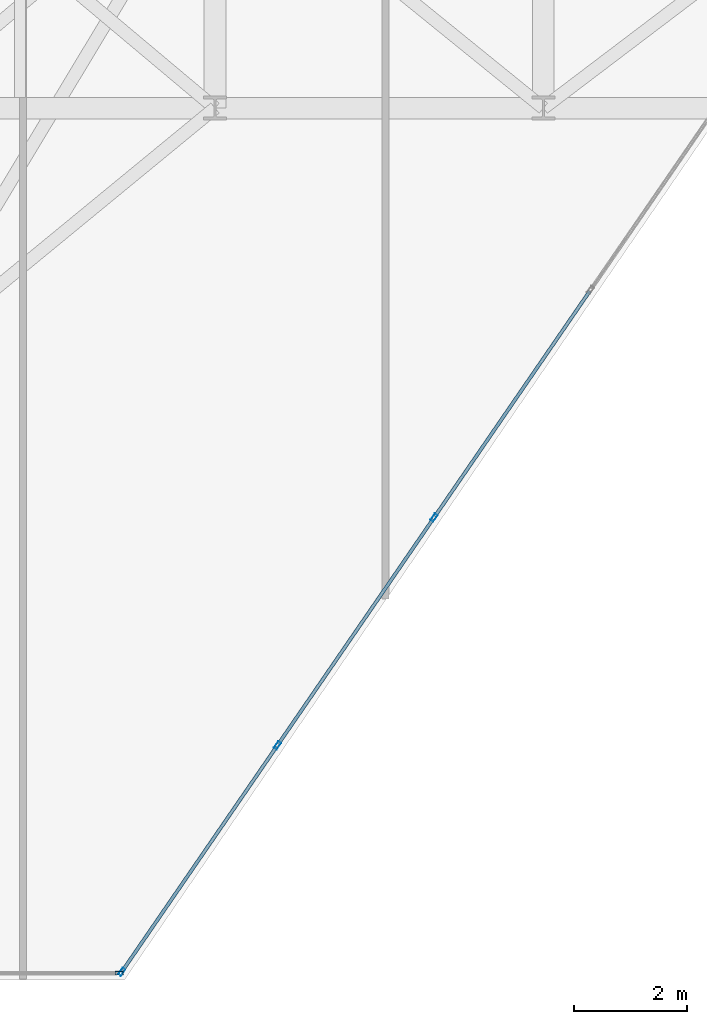
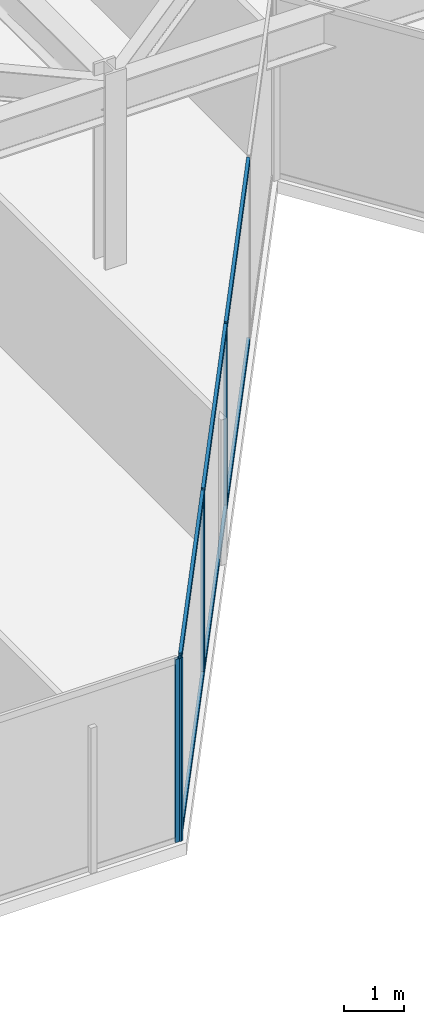
# One storey, part 4 of 21: 10 members, 2 elements without a shape of their own.
"""IFC4 building model written with IfcOpenShell, lengths in metres."""

from ifc_helpers import new_model, si_unit, direction, frame, origin, origin_2d, place, context, subcontext, project, spatial, hollow_rectangle, extrude, material, layer, layer_set, material_profile, profile_set, type_object, element, aggregate, save


model = new_model("IFC4")

# Units and contexts
model_context = context("Model", 3, precision=1e-05, world=origin(), true_north=direction((0.0, 1.0)))
body_context = subcontext(model_context, "Body", "Model", "MODEL_VIEW")
ifc_project = project(units=[si_unit("LENGTHUNIT", "METRE"), si_unit("AREAUNIT", "SQUARE_METRE"), si_unit("VOLUMEUNIT", "CUBIC_METRE"), si_unit("PLANEANGLEUNIT", "RADIAN"), si_unit("MASSUNIT", "GRAM", prefix="KILO")], contexts=[model_context])

# Site, building, storey
site_placement = place(None, origin())
site = spatial("IfcSite", under=ifc_project, at=site_placement, CompositionType="ELEMENT")
building_placement = place(site_placement, origin())
building = spatial("IfcBuilding", under=site, at=building_placement, Name="Kravanh Interchange Tower", CompositionType="ELEMENT")
storey_placement = place(building_placement, frame((0.0, 0.0, 168.5)))
storey = spatial("IfcBuildingStorey", under=building, at=storey_placement, Name="L40", CompositionType="ELEMENT", Elevation=168.5)

# Curtain wall, members
ifc_material_1 = material(Name="Anodised Bronze Aluminium", Category="aluminium")
ifc_layer = layer(ifc_material_1, 0.179931640625)
ifc_layer_set = layer_set([ifc_layer], Name="Unitised Curtain Wall System CW-Z3 Upper Office")
curtain_wall_type = type_object("IfcCurtainWallType", Name="Unitised Curtain Wall System CW-Z3 Upper Office", PredefinedType="NOTDEFINED", material=ifc_layer_set)
curtain_wall_1_placement = place(storey_placement, origin())
curtain_wall_1 = element("IfcCurtainWall", 1, at=curtain_wall_1_placement, inside=storey, type_object=curtain_wall_type, Name="L40 Unitised Curtain Wall CW-L40-04", PredefinedType="NOTDEFINED")
ifc_material_2 = material(Name="Anodised Bronze Aluminium", Category="aluminium")
ifc_material_profile_1 = material_profile(ifc_material_2, hollow_rectangle(XDim=0.06005859375, YDim=0.139892578125, WallThickness=0.00390625, at=origin_2d()), Name="ALU60X140X4")
ifc_profile_set_1 = profile_set([ifc_material_profile_1], Name="Anodised Bronze Aluminium")
member_type_1 = type_object("IfcMemberType", Name="Curtain Wall Mullion ALU60X140X4 Bronze", PredefinedType="MULLION", material=ifc_profile_set_1)
member_1_placement = place(storey_placement, frame((36.66845703125, 19.56591796875, 0.0), z_axis=(0.0, 0.0, 1.0), x_axis=(0.824042223035, -0.566528388217, 0.0)))
member_1 = element("IfcMember", 2, at=member_1_placement, type_object=member_type_1, Name="CW-Z3 mullion 3", PredefinedType="MULLION", context=body_context, shape_type="SweptSolid", body=[
    extrude(hollow_rectangle(XDim=0.06005859375, YDim=0.139892578125, WallThickness=0.00390625, at=origin_2d()), origin(), (0.0, 0.0, 1.0), 3.7548828125),
])
member_2_placement = place(storey_placement, frame((33.902587890625, 15.54296875, 0.0), z_axis=(0.0, 0.0, 1.0), x_axis=(0.824042223035, -0.566528388217, 0.0)))
member_2 = element("IfcMember", 3, at=member_2_placement, type_object=member_type_1, Name="CW-Z3 mullion 4", PredefinedType="MULLION", context=body_context, shape_type="SweptSolid", body=[
    extrude(hollow_rectangle(XDim=0.06005859375, YDim=0.139892578125, WallThickness=0.00390625, at=origin_2d()), origin(), (0.0, 0.0, 1.0), 3.7548828125),
])
member_3_placement = place(storey_placement, frame((31.15380859375, 11.544677734375, 0.0), z_axis=(0.0, 0.0, 1.0), x_axis=(0.824042223035, -0.566528388217, 0.0)))
member_3 = element("IfcMember", 4, at=member_3_placement, type_object=member_type_1, Name="CW-Z3 mullion 5", PredefinedType="MULLION", context=body_context, shape_type="SweptSolid", body=[
    extrude(hollow_rectangle(XDim=0.06005859375, YDim=0.139892578125, WallThickness=0.00390625, at=origin_2d()), origin(), (0.0, 0.0, 1.0), 3.7548828125),
])

# Curtain wall, member
curtain_wall_2_placement = place(storey_placement, origin())
curtain_wall_2 = element("IfcCurtainWall", 5, at=curtain_wall_2_placement, inside=storey, type_object=curtain_wall_type, Name="L40 Unitised Curtain Wall CW-L40-05", PredefinedType="NOTDEFINED")
member_4_placement = place(storey_placement, frame((31.10693359375, 11.52001953125, 0.0), z_axis=(0.0, 0.0, 1.0), x_axis=(0.0, -1.0, 0.0)))
member_4 = element("IfcMember", 6, at=member_4_placement, type_object=member_type_1, Name="CW-Z3 mullion 1", PredefinedType="MULLION", context=body_context, shape_type="SweptSolid", body=[
    extrude(hollow_rectangle(XDim=0.06005859375, YDim=0.139892578125, WallThickness=0.00390625, at=origin_2d()), origin(), (0.0, 0.0, 1.0), 3.7548828125),
])
aggregate(curtain_wall_2, [member_4])

# Member
ifc_material_3 = material(Name="Anodised Bronze Aluminium", Category="aluminium")
ifc_material_profile_2 = material_profile(ifc_material_3, hollow_rectangle(XDim=0.06005859375, YDim=0.139892578125, WallThickness=0.00390625, at=origin_2d()), Name="ALU60X140X4")
ifc_profile_set_2 = profile_set([ifc_material_profile_2], Name="Anodised Bronze Aluminium")
member_type_2 = type_object("IfcMemberType", Name="Curtain Wall Transom ALU60X140X4 Bronze", PredefinedType="USERDEFINED", material=ifc_profile_set_2)
member_5_placement = place(storey_placement, frame((39.417236328125, 23.564208984375, 0.030029296875), z_axis=(-0.566503037389, -0.824059651135, 0.0), x_axis=(0.824059651135, -0.566503037389, 0.0)))
member_5 = element("IfcMember", 7, at=member_5_placement, type_object=member_type_2, Name="CW-Z3 transom 2.1", ObjectType="TRANSOM", PredefinedType="USERDEFINED", context=body_context, shape_type="SweptSolid", body=[
    extrude(hollow_rectangle(XDim=0.06005859375, YDim=0.139892578125, WallThickness=0.00390625, at=origin_2d()), origin(), (0.0, 0.0, 1.0), 4.822021484375),
])

member_6_placement = place(storey_placement, frame((39.417236328125, 23.564208984375, 3.72509765625), z_axis=(-0.566503037389, -0.824059651135, 0.0), x_axis=(0.824059651135, -0.566503037389, 0.0)))
member_6 = element("IfcMember", 8, at=member_6_placement, type_object=member_type_2, Name="CW-Z3 transom 2.2", ObjectType="TRANSOM", PredefinedType="USERDEFINED", context=body_context, shape_type="SweptSolid", body=[
    extrude(hollow_rectangle(XDim=0.06005859375, YDim=0.139892578125, WallThickness=0.00390625, at=origin_2d()), origin(), (0.0, 0.0, 1.0), 4.822021484375),
])

member_7_placement = place(storey_placement, frame((36.6513671875, 19.541259765625, 0.030029296875), z_axis=(-0.566503037389, -0.824059651135, 0.0), x_axis=(0.824059651135, -0.566503037389, 0.0)))
member_7 = element("IfcMember", 9, at=member_7_placement, type_object=member_type_2, Name="CW-Z3 transom 3.1", ObjectType="TRANSOM", PredefinedType="USERDEFINED", context=body_context, shape_type="SweptSolid", body=[
    extrude(hollow_rectangle(XDim=0.06005859375, YDim=0.139892578125, WallThickness=0.00390625, at=origin_2d()), origin(), (0.0, 0.0, 1.0), 4.822021484375),
])

member_8_placement = place(storey_placement, frame((36.6513671875, 19.541259765625, 3.72509765625), z_axis=(-0.566503037389, -0.824059651135, 0.0), x_axis=(0.824059651135, -0.566503037389, 0.0)))
member_8 = element("IfcMember", 10, at=member_8_placement, type_object=member_type_2, Name="CW-Z3 transom 3.2", ObjectType="TRANSOM", PredefinedType="USERDEFINED", context=body_context, shape_type="SweptSolid", body=[
    extrude(hollow_rectangle(XDim=0.06005859375, YDim=0.139892578125, WallThickness=0.00390625, at=origin_2d()), origin(), (0.0, 0.0, 1.0), 4.822021484375),
])

member_9_placement = place(storey_placement, frame((33.8857421875, 15.518310546875, 0.030029296875), z_axis=(-0.566518012045, -0.824049356549, 0.0), x_axis=(0.824049356549, -0.566518012045, 0.0)))
member_9 = element("IfcMember", 11, at=member_9_placement, type_object=member_type_2, Name="CW-Z3 transom 4.1", ObjectType="TRANSOM", PredefinedType="USERDEFINED", context=body_context, shape_type="SweptSolid", body=[
    extrude(hollow_rectangle(XDim=0.06005859375, YDim=0.139892578125, WallThickness=0.00390625, at=origin_2d()), origin(), (0.0, 0.0, 1.0), 4.792236328125),
])

member_10_placement = place(storey_placement, frame((33.8857421875, 15.518310546875, 3.72509765625), z_axis=(-0.566518012045, -0.824049356549, 0.0), x_axis=(0.824049356549, -0.566518012045, 0.0)))
member_10 = element("IfcMember", 12, at=member_10_placement, type_object=member_type_2, Name="CW-Z3 transom 4.2", ObjectType="TRANSOM", PredefinedType="USERDEFINED", context=body_context, shape_type="SweptSolid", body=[
    extrude(hollow_rectangle(XDim=0.06005859375, YDim=0.139892578125, WallThickness=0.00390625, at=origin_2d()), origin(), (0.0, 0.0, 1.0), 4.792236328125),
])

aggregate(curtain_wall_1, [member_1, member_2, member_3, member_5, member_6, member_7, member_8, member_9, member_10])

save(model, "model.ifc")
